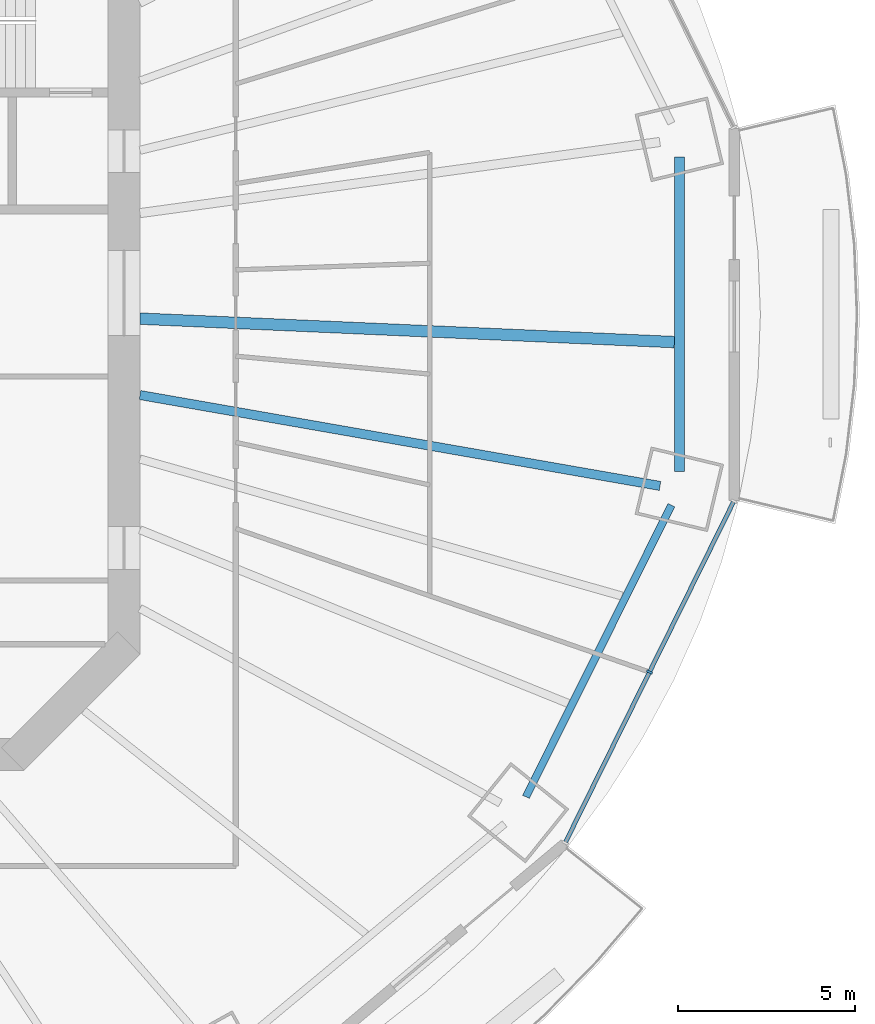
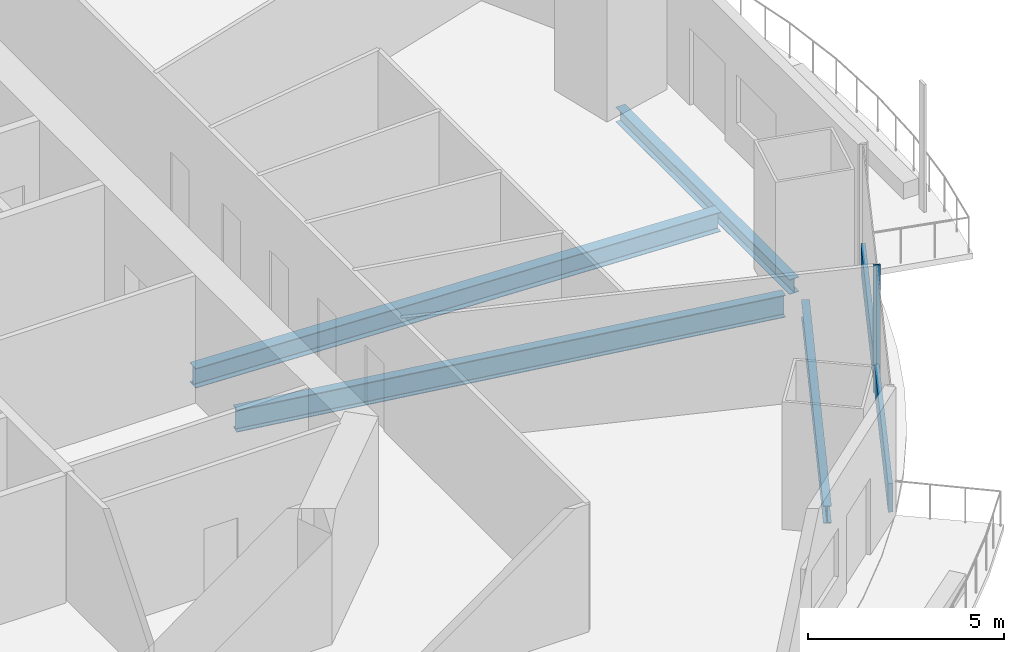
# One storey, part 5 of 20: 4 beams, 2 members, 1 element without a shape of its own.
"""IFC4 building model written with IfcOpenShell, lengths in metres."""

from ifc_helpers import new_model, si_unit, direction, frame, origin, origin_2d, place, context, subcontext, project, spatial, rectangle, i_section, extrude, material, material_profile, profile_set, type_object, element, aggregate, save


model = new_model("IFC4")

# Units and contexts
model_context = context("Model", 3, precision=1e-05, world=origin(), true_north=direction((0.0, 1.0)))
body_context = subcontext(model_context, "Body", "Model", "MODEL_VIEW")
ifc_project = project(units=[si_unit("LENGTHUNIT", "METRE"), si_unit("AREAUNIT", "SQUARE_METRE"), si_unit("VOLUMEUNIT", "CUBIC_METRE"), si_unit("PLANEANGLEUNIT", "RADIAN"), si_unit("MASSUNIT", "GRAM", prefix="KILO")], contexts=[model_context])

# Site, building, storey
site_placement = place(None, origin())
site = spatial("IfcSite", under=ifc_project, at=site_placement, CompositionType="ELEMENT")
building_placement = place(site_placement, origin())
building = spatial("IfcBuilding", under=site, at=building_placement, Name="Marenthal Gate Tower", CompositionType="ELEMENT")
storey_placement = place(building_placement, frame((0.0, 0.0, 185.949951171875)))
storey = spatial("IfcBuildingStorey", under=building, at=storey_placement, Name="L40", CompositionType="ELEMENT", Elevation=185.949951171875)

# Curtain wall, members
ifc_material_1 = material(Name="Aluminium and glass", Category="aluminium")
curtain_wall_type = type_object("IfcCurtainWallType", Name="Curtain wall typical mid", PredefinedType="NOTDEFINED", material=ifc_material_1)
curtain_wall_placement = place(storey_placement, origin())
curtain_wall = element("IfcCurtainWall", 1, at=curtain_wall_placement, inside=storey, type_object=curtain_wall_type, Name="Curtain wall L40 bay 15", PredefinedType="NOTDEFINED")
ifc_material_2 = material(Name="Aluminium", Category="aluminium")
ifc_material_profile_1 = material_profile(ifc_material_2, rectangle(XDim=0.179931640625, YDim=0.06005859375, at=origin_2d()), Name="60x180 aluminium mullion")
ifc_profile_set_1 = profile_set([ifc_material_profile_1], Name="Aluminium")
member_type_1 = type_object("IfcMemberType", Name="Mullion 60x180 typical mid", PredefinedType="MULLION", material=ifc_profile_set_1)
member_1_placement = place(storey_placement, frame((30.8095703125, -10.681640625, 0.0), z_axis=(0.0, 0.0, 1.0), x_axis=(-0.896680826174, 0.442677643406, 0.0)))
member_1 = element("IfcMember", 2, at=member_1_placement, type_object=member_type_1, Name="Mullion L40 bay 15.2", PredefinedType="MULLION", context=body_context, shape_type="SweptSolid", body=[
    extrude(rectangle(XDim=0.179931640625, YDim=0.06005859375, at=origin_2d()), origin(), (0.0, 0.0, 1.0), 3.969970703125),
])
ifc_material_3 = material(Name="Aluminium", Category="aluminium")
ifc_material_profile_2 = material_profile(ifc_material_3, rectangle(XDim=0.1201171875, YDim=0.89990234375, at=origin_2d()), Name="120x900 aluminium transom")
ifc_profile_set_2 = profile_set([ifc_material_profile_2], Name="Aluminium")
member_type_2 = type_object("IfcMemberType", Name="Transom 120x900 typical mid", PredefinedType="USERDEFINED", material=ifc_profile_set_2)
member_2_placement = place(storey_placement, frame((28.446044921875, -15.469482421875, 0.449951171875), z_axis=(0.442681148618, 0.896679095696, 0.0), x_axis=(-0.896679095696, 0.442681148618, 0.0)))
member_2 = element("IfcMember", 3, at=member_2_placement, type_object=member_type_2, Name="Transom L40 bay 15", ObjectType="TRANSOM", PredefinedType="USERDEFINED", context=body_context, shape_type="SweptSolid", body=[
    extrude(rectangle(XDim=0.1201171875, YDim=0.89990234375, at=origin_2d()), origin(), (0.0, 0.0, 1.0), 10.6787109375),
])
aggregate(curtain_wall, [member_1, member_2])

# Beams
ifc_material_4 = material(Name="Steel S355", Category="steel")
ifc_material_profile_3 = material_profile(ifc_material_4, i_section(OverallWidth=0.279052734375, OverallDepth=0.4619140625, WebThickness=0.0107421875, FlangeThickness=0.017333984375, FilletRadius=0.010009765625, at=origin_2d()), Name="W460X113")
ifc_profile_set_3 = profile_set([ifc_material_profile_3], Name="Steel S355")
beam_type_1 = type_object("IfcBeamType", Name="W460X113 beam", PredefinedType="BEAM", material=ifc_profile_set_3)
beam_1_placement = place(storey_placement, frame((31.650146484375, -5.029541015625, -0.410888671875), z_axis=(0.0, 1.0, 0.0), x_axis=(-1.0, 0.0, 0.0)))
element("IfcBeam", 4, at=beam_1_placement, inside=storey, type_object=beam_type_1, Name="BM-L40-56", PredefinedType="BEAM", context=body_context, shape_type="SweptSolid", body=[
    extrude(i_section(OverallWidth=0.279052734375, OverallDepth=0.4619140625, WebThickness=0.0107421875, FlangeThickness=0.017333984375, FilletRadius=0.010009765625, at=origin_2d()), origin(), (0.0, 0.0, 1.0), 8.859130859375),
])
ifc_material_5 = material(Name="Steel S355", Category="steel")
ifc_material_profile_4 = material_profile(ifc_material_5, i_section(OverallWidth=0.2119140625, OverallDepth=0.5439453125, WebThickness=0.01318359375, FlangeThickness=0.021240234375, FilletRadius=0.0126953125, at=origin_2d()), Name="W530X123")
ifc_profile_set_4 = profile_set([ifc_material_profile_4], Name="Steel S355")
beam_type_2 = type_object("IfcBeamType", Name="W530X123 beam", PredefinedType="BEAM", material=ifc_profile_set_4)
beam_2_placement = place(storey_placement, frame((27.327880859375, -14.19970703125, -0.451904296875), z_axis=(0.446267064466, 0.894899830804, 0.0), x_axis=(-0.894899830804, 0.446267064466, 0.0)))
element("IfcBeam", 5, at=beam_2_placement, inside=storey, type_object=beam_type_2, Name="BM-L40-55", PredefinedType="BEAM", context=body_context, shape_type="SweptSolid", body=[
    extrude(i_section(OverallWidth=0.2119140625, OverallDepth=0.5439453125, WebThickness=0.01318359375, FlangeThickness=0.021240234375, FilletRadius=0.0126953125, at=origin_2d()), origin(), (0.0, 0.0, 1.0), 9.184814453125),
])
ifc_material_6 = material(Name="Steel S355", Category="steel")
ifc_material_profile_5 = material_profile(ifc_material_6, i_section(OverallWidth=0.324951171875, OverallDepth=0.612060546875, WebThickness=0.0126953125, FlangeThickness=0.01904296875, FilletRadius=0.0126953125, at=origin_2d()), Name="W610X155")
ifc_profile_set_5 = profile_set([ifc_material_profile_5], Name="Steel S355")
beam_type_3 = type_object("IfcBeamType", Name="W610X155 beam", PredefinedType="BEAM", material=ifc_profile_set_5)
beam_3_placement = place(storey_placement, frame((31.5107421875, -1.383056640625, -0.48583984375), z_axis=(-0.999037889945, 0.043855381121, 0.0), x_axis=(-0.043855381121, -0.999037889945, 0.0)))
element("IfcBeam", 6, at=beam_3_placement, inside=storey, type_object=beam_type_3, Name="BM-L40-40", PredefinedType="BEAM", context=body_context, shape_type="SweptSolid", body=[
    extrude(i_section(OverallWidth=0.324951171875, OverallDepth=0.612060546875, WebThickness=0.0126953125, FlangeThickness=0.01904296875, FilletRadius=0.0126953125, at=origin_2d()), origin(), (0.0, 0.0, 1.0), 15.0751953125),
])
ifc_material_7 = material(Name="Steel S355", Category="steel")
ifc_material_profile_6 = material_profile(ifc_material_7, i_section(OverallWidth=0.257080078125, OverallDepth=0.693115234375, WebThickness=0.014404296875, FlangeThickness=0.023681640625, FilletRadius=0.015380859375, at=origin_2d()), Name="W690X170")
ifc_profile_set_6 = profile_set([ifc_material_profile_6], Name="Steel S355")
beam_type_4 = type_object("IfcBeamType", Name="W690X170 beam", PredefinedType="BEAM", material=ifc_profile_set_6)
beam_4_placement = place(storey_placement, frame((31.1064453125, -5.43701171875, -0.5263671875), z_axis=(-0.985066039894, 0.172176935296, 0.0), x_axis=(-0.172176935296, -0.985066039894, 0.0)))
element("IfcBeam", 7, at=beam_4_placement, inside=storey, type_object=beam_type_4, Name="BM-L40-16", PredefinedType="BEAM", context=body_context, shape_type="SweptSolid", body=[
    extrude(i_section(OverallWidth=0.257080078125, OverallDepth=0.693115234375, WebThickness=0.014404296875, FlangeThickness=0.023681640625, FilletRadius=0.015380859375, at=origin_2d()), origin(), (0.0, 0.0, 1.0), 14.878662109375),
])

save(model, "model.ifc")
